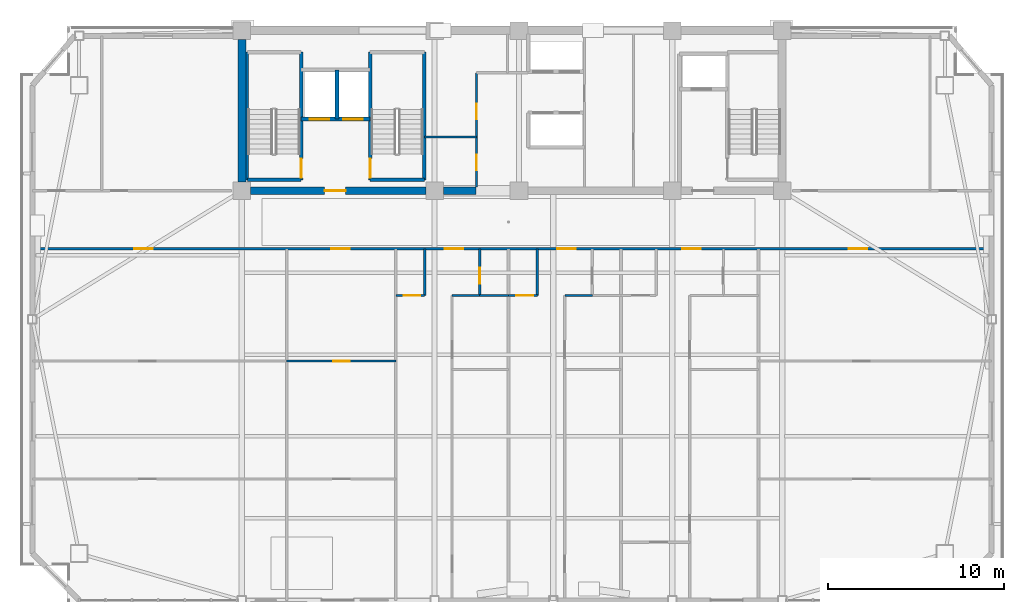
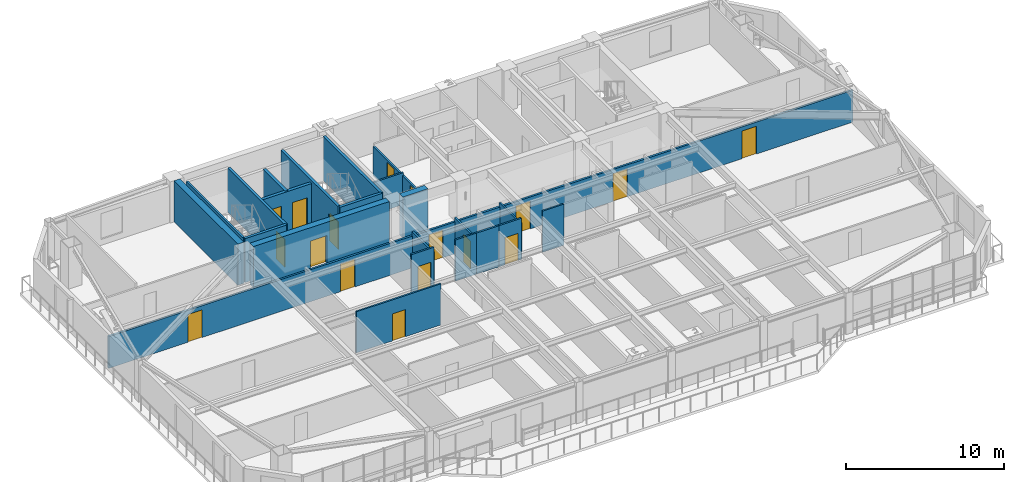
# One storey, part 9 of 19: 23 walls, 17 doors, 17 openings.
"""IFC4 building model written with IfcOpenShell, lengths in metres."""

from ifc_helpers import new_model, si_unit, direction, frame, frame_2d, origin, place, context, subcontext, project, spatial, rectangle, extrude, source, transform, mapped, material, layer, layer_set, type_object, element, fill, save


model = new_model("IFC4")

# Units and contexts
model_context = context("Model", 3, precision=1e-05, world=origin(), true_north=direction((0.0, 1.0)))
body_context = subcontext(model_context, "Body", "Model", "MODEL_VIEW")
ifc_project = project(units=[si_unit("LENGTHUNIT", "METRE"), si_unit("AREAUNIT", "SQUARE_METRE"), si_unit("VOLUMEUNIT", "CUBIC_METRE"), si_unit("PLANEANGLEUNIT", "RADIAN"), si_unit("MASSUNIT", "GRAM", prefix="KILO")], contexts=[model_context])

# Site, building, storey
site_placement = place(None, origin())
site = spatial("IfcSite", under=ifc_project, at=site_placement, CompositionType="ELEMENT")
building_placement = place(site_placement, origin())
building = spatial("IfcBuilding", under=site, at=building_placement, Name="Giltprow Tower", CompositionType="ELEMENT")
storey_placement = place(building_placement, frame((0.0, 0.0, 241.699951171875)))
storey = spatial("IfcBuildingStorey", under=building, at=storey_placement, Name="L61", CompositionType="ELEMENT", Elevation=241.699951171875)

# Wall, openings, doors
ifc_material_1 = material(Name="Gypsum stud partition", Category="gypsum")
ifc_layer_1 = layer(ifc_material_1, 0.14990234375, Name="Gypsum stud partition")
ifc_layer_set_1 = layer_set([ifc_layer_1], Name="Gypsum stud partition")
wall_type_1 = type_object("IfcWallType", Name="IW-CORR-150", PredefinedType="PARTITIONING", material=ifc_layer_set_1)
wall_1_placement = place(storey_placement, frame((7.947998046875, 34.14990234375, 0.0), z_axis=(0.0, 0.0, 1.0), x_axis=(1.0, 0.0, 0.0)))
wall_1 = element("IfcWall", 1, at=wall_1_placement, inside=storey, type_object=wall_type_1, Name="L61 Residence Gallery Corridor Wall", PredefinedType="PARTITIONING", context=body_context, shape_type="SweptSolid", body=[
    extrude(rectangle(XDim=54.50390625, YDim=0.14990234375, at=frame_2d((27.251953125, 0.0))), origin(), (0.0, 0.0, 1.0), 2.469970703125),
])
opening_1_placement = place(wall_1_placement, frame((5.784912109375, 0.0, 0.0)))
opening_1 = element("IfcOpeningElement", 2, at=opening_1_placement, cuts=wall_1, Name="Opening ID31", PredefinedType="OPENING", context=body_context, shape_type="SweptSolid", body=[
    extrude(rectangle(XDim=1.050048828125, YDim=2.14990234375, at=frame_2d((0.52490234375, 1.074951171875))), frame((0.0, 0.0849609375, 0.0), z_axis=(0.0, -1.0, 0.0), x_axis=(1.0, 0.0, 0.0)), (0.0, 0.0, 1.0), 0.169921875),
])
opening_2_placement = place(wall_1_placement, frame((16.97705078125, 0.0, 0.0)))
opening_2 = element("IfcOpeningElement", 3, at=opening_2_placement, cuts=wall_1, Name="Opening ID31", PredefinedType="OPENING", context=body_context, shape_type="SweptSolid", body=[
    extrude(rectangle(XDim=1.050048828125, YDim=2.14990234375, at=frame_2d((0.52490234375, 1.074951171875))), frame((0.0, 0.0849609375, 0.0), z_axis=(0.0, -1.0, 0.0), x_axis=(1.0, 0.0, 0.0)), (0.0, 0.0, 1.0), 0.169921875),
])
opening_3_placement = place(wall_1_placement, frame((23.427001953125, 0.0, 0.0)))
opening_3 = element("IfcOpeningElement", 4, at=opening_3_placement, cuts=wall_1, Name="Opening ID31", PredefinedType="OPENING", context=body_context, shape_type="SweptSolid", body=[
    extrude(rectangle(XDim=1.050048828125, YDim=2.14990234375, at=frame_2d((0.52490234375, 1.074951171875))), frame((0.0, 0.0849609375, 0.0), z_axis=(0.0, -1.0, 0.0), x_axis=(1.0, 0.0, 0.0)), (0.0, 0.0, 1.0), 0.169921875),
])
opening_4_placement = place(wall_1_placement, frame((29.826904296875, 0.0, 0.0)))
opening_4 = element("IfcOpeningElement", 5, at=opening_4_placement, cuts=wall_1, Name="Opening ID31", PredefinedType="OPENING", context=body_context, shape_type="SweptSolid", body=[
    extrude(rectangle(XDim=1.050048828125, YDim=2.14990234375, at=frame_2d((0.52490234375, 1.074951171875))), frame((0.0, 0.0849609375, 0.0), z_axis=(0.0, -1.0, 0.0), x_axis=(1.0, 0.0, 0.0)), (0.0, 0.0, 1.0), 0.169921875),
])
opening_5_placement = place(wall_1_placement, frame((36.927001953125, 0.0, 0.0)))
opening_5 = element("IfcOpeningElement", 6, at=opening_5_placement, cuts=wall_1, Name="Opening ID31", PredefinedType="OPENING", context=body_context, shape_type="SweptSolid", body=[
    extrude(rectangle(XDim=1.050048828125, YDim=2.14990234375, at=frame_2d((0.52490234375, 1.074951171875))), frame((0.0, 0.0849609375, 0.0), z_axis=(0.0, -1.0, 0.0), x_axis=(1.0, 0.0, 0.0)), (0.0, 0.0, 1.0), 0.169921875),
])
opening_6_placement = place(wall_1_placement, frame((46.381103515625, 0.0, 0.0)))
opening_6 = element("IfcOpeningElement", 7, at=opening_6_placement, cuts=wall_1, Name="Opening ID31", PredefinedType="OPENING", context=body_context, shape_type="SweptSolid", body=[
    extrude(rectangle(XDim=1.050048828125, YDim=2.14990234375, at=frame_2d((0.52490234375, 1.074951171875))), frame((0.0, 0.0849609375, 0.0), z_axis=(0.0, -1.0, 0.0), x_axis=(1.0, 0.0, 0.0)), (0.0, 0.0, 1.0), 0.169921875),
])
ifc_material_2 = material(Name="Engineered timber", Category="wood")
door_type_1 = type_object("IfcDoorType", Name="DR-SUITE-1050", OperationType="SINGLE_SWING_LEFT", PredefinedType="DOOR", material=ifc_material_2)
shared_shape_1 = source(origin(), body_context, "Body", "SweptSolid", [
    extrude(rectangle(XDim=1.050048828125, YDim=2.14990234375, at=frame_2d((0.52490234375, 1.074951171875))), frame((0.0, 0.02490234375, 0.0), z_axis=(0.0, -1.0, 0.0), x_axis=(1.0, 0.0, 0.0)), (0.0, 0.0, 1.0), 0.050048828125),
])
door_1_placement = place(opening_1_placement, origin())
door_1 = element("IfcDoor", 8, at=door_1_placement, inside=storey, type_object=door_type_1, Name="L61 Residents Home Office 1 North Door", OperationType="SINGLE_SWING_RIGHT", OverallHeight=2.14990234375, OverallWidth=1.050048828125, PredefinedType="DOOR", context=body_context, shape_type="MappedRepresentation", body=[
    mapped(shared_shape_1, transform((0.0, 0.0, 0.0), x_axis=(1.0, 0.0, 0.0), y_axis=(0.0, 1.0, 0.0), z_axis=(0.0, 0.0, 1.0), scale=1.0)),
])
fill(opening_1, door_1)
door_2_placement = place(opening_2_placement, origin())
door_2 = element("IfcDoor", 9, at=door_2_placement, inside=storey, type_object=door_type_1, Name="L61 Legal Study Office 2 North Door", OperationType="SINGLE_SWING_LEFT", OverallHeight=2.14990234375, OverallWidth=1.050048828125, PredefinedType="DOOR", context=body_context, shape_type="MappedRepresentation", body=[
    mapped(shared_shape_1, transform((0.0, 0.0, 0.0), x_axis=(1.0, 0.0, 0.0), y_axis=(0.0, 1.0, 0.0), z_axis=(0.0, 0.0, 1.0), scale=1.0)),
])
fill(opening_2, door_2)
door_3_placement = place(opening_3_placement, origin())
door_3 = element("IfcDoor", 10, at=door_3_placement, inside=storey, type_object=door_type_1, Name="L61 Unit 1 Entrance Door", OperationType="SINGLE_SWING_RIGHT", OverallHeight=2.14990234375, OverallWidth=1.050048828125, PredefinedType="DOOR", context=body_context, shape_type="MappedRepresentation", body=[
    mapped(shared_shape_1, transform((0.0, 0.0, 0.0), x_axis=(1.0, 0.0, 0.0), y_axis=(0.0, 1.0, 0.0), z_axis=(0.0, 0.0, 1.0), scale=1.0)),
])
fill(opening_3, door_3)
door_4_placement = place(opening_4_placement, origin())
door_4 = element("IfcDoor", 11, at=door_4_placement, inside=storey, type_object=door_type_1, Name="L61 Unit 2 Entrance Door", OperationType="SINGLE_SWING_LEFT", OverallHeight=2.14990234375, OverallWidth=1.050048828125, PredefinedType="DOOR", context=body_context, shape_type="MappedRepresentation", body=[
    mapped(shared_shape_1, transform((0.0, 0.0, 0.0), x_axis=(1.0, 0.0, 0.0), y_axis=(0.0, 1.0, 0.0), z_axis=(0.0, 0.0, 1.0), scale=1.0)),
])
fill(opening_4, door_4)
door_5_placement = place(opening_5_placement, origin())
door_5 = element("IfcDoor", 12, at=door_5_placement, inside=storey, type_object=door_type_1, Name="L61 Unit 3 Entrance Door", OperationType="SINGLE_SWING_RIGHT", OverallHeight=2.14990234375, OverallWidth=1.050048828125, PredefinedType="DOOR", context=body_context, shape_type="MappedRepresentation", body=[
    mapped(shared_shape_1, transform((0.0, 0.0, 0.0), x_axis=(1.0, 0.0, 0.0), y_axis=(0.0, 1.0, 0.0), z_axis=(0.0, 0.0, 1.0), scale=1.0)),
])
fill(opening_5, door_5)
door_6_placement = place(opening_6_placement, origin())
door_6 = element("IfcDoor", 13, at=door_6_placement, inside=storey, type_object=door_type_1, Name="L61 Portfolio Office 3 North Door", OperationType="SINGLE_SWING_RIGHT", OverallHeight=2.14990234375, OverallWidth=1.050048828125, PredefinedType="DOOR", context=body_context, shape_type="MappedRepresentation", body=[
    mapped(shared_shape_1, transform((0.0, 0.0, 0.0), x_axis=(1.0, 0.0, 0.0), y_axis=(0.0, 1.0, 0.0), z_axis=(0.0, 0.0, 1.0), scale=1.0)),
])
fill(opening_6, door_6)

# Wall, opening, door
ifc_layer_2 = layer(ifc_material_1, 0.1201171875, Name="Gypsum stud partition")
ifc_layer_set_2 = layer_set([ifc_layer_2], Name="Gypsum stud partition")
wall_type_2 = type_object("IfcWallType", Name="IW-ROOM-120", PredefinedType="PARTITIONING", material=ifc_layer_set_2)
wall_2_placement = place(storey_placement, frame((22.39990234375, 27.77001953125, 0.0), z_axis=(0.0, 0.0, 1.0), x_axis=(1.0, 0.0, 0.0)))
wall_2 = element("IfcWall", 14, at=wall_2_placement, inside=storey, type_object=wall_type_2, Name="L61 Special Split 2", PredefinedType="PARTITIONING", context=body_context, shape_type="SweptSolid", body=[
    extrude(rectangle(XDim=6.2001953125, YDim=0.1201171875, at=frame_2d((3.10009765625, 0.0))), origin(), (0.0, 0.0, 1.0), 3.18505859375),
])
opening_7_placement = place(wall_2_placement, frame((2.64599609375, 0.0, 0.0)))
opening_7 = element("IfcOpeningElement", 15, at=opening_7_placement, cuts=wall_2, Name="Opening ID11", PredefinedType="OPENING", context=body_context, shape_type="SweptSolid", body=[
    extrude(rectangle(XDim=0.949951171875, YDim=2.10009765625, at=frame_2d((0.47509765625, 1.050048828125))), frame((0.0, 0.070068359375, 0.0), z_axis=(0.0, -1.0, 0.0), x_axis=(1.0, 0.0, 0.0)), (0.0, 0.0, 1.0), 0.14013671875),
])
door_type_2 = type_object("IfcDoorType", Name="DR-ROOM-950", OperationType="SINGLE_SWING_RIGHT", PredefinedType="DOOR", material=ifc_material_2)
shared_shape_2 = source(origin(), body_context, "Body", "SweptSolid", [
    extrude(rectangle(XDim=0.949951171875, YDim=2.10009765625, at=frame_2d((0.47509765625, 1.050048828125))), frame((0.0, 0.02490234375, 0.0), z_axis=(0.0, -1.0, 0.0), x_axis=(1.0, 0.0, 0.0)), (0.0, 0.0, 1.0), 0.050048828125),
])
door_7_placement = place(opening_7_placement, origin())
door_7 = element("IfcDoor", 16, at=door_7_placement, inside=storey, type_object=door_type_2, Name="L61 Legal Study Office 2 Mid Door", OperationType="SINGLE_SWING_RIGHT", OverallHeight=2.10009765625, OverallWidth=0.949951171875, PredefinedType="DOOR", context=body_context, shape_type="MappedRepresentation", body=[
    mapped(shared_shape_2, transform((0.0, 0.0, 0.0), x_axis=(1.0, 0.0, 0.0), y_axis=(0.0, 1.0, 0.0), z_axis=(0.0, 0.0, 1.0), scale=1.0)),
])
fill(opening_7, door_7)

# Walls
for number, where, z_axis, x_axis, name in (
    (17, (31.800048828125, 31.5, 0.0), (0.0, 0.0, 1.0), (1.0, 0.0, 0.0), "L61 Unit 1 Bedroom North Wall"),
    (18, (38.199951171875, 31.5, 0.0), (0.0, 0.0, 1.0), (1.0, 0.0, 0.0), "L61 Unit 2 Bedroom North Wall"),
):
    element("IfcWall", number, at=place(storey_placement, frame(where, z_axis=z_axis, x_axis=x_axis)), inside=storey, type_object=wall_type_2, Name=name, PredefinedType="PARTITIONING", context=body_context, shape_type="SweptSolid", body=[
        extrude(rectangle(XDim=1.56005859375, YDim=0.1201171875, at=frame_2d((0.780029296875, 0.0))), origin(), (0.0, 0.0, 1.0), 3.18505859375),
    ])

# Wall, openings, doors
ifc_material_3 = material(Name="Concrete C40", Category="concrete")
ifc_layer_3 = layer(ifc_material_3, 0.219970703125, Name="Concrete C40")
ifc_layer_set_3 = layer_set([ifc_layer_3], Name="Concrete C40")
wall_type_3 = type_object("IfcWallType", Name="IW-SHAFT-220", PredefinedType="SOLIDWALL", material=ifc_layer_set_3)
wall_3_placement = place(storey_placement, frame((23.219970703125, 41.52001953125, 0.0), z_axis=(0.0, 0.0, 1.0), x_axis=(1.0, 0.0, 0.0)))
wall_3 = element("IfcWall", 19, at=wall_3_placement, inside=storey, type_object=wall_type_3, Name="L61 FFL1 and Service Lift Front Wall", PredefinedType="SOLIDWALL", context=body_context, shape_type="SweptSolid", body=[
    extrude(rectangle(XDim=3.919921875, YDim=0.219970703125, at=frame_2d((1.9599609375, 0.0))), origin(), (0.0, 0.0, 1.0), 3.18505859375),
])
opening_8_placement = place(wall_3_placement, frame((0.5, 0.0, 0.0)))
opening_8 = element("IfcOpeningElement", 20, at=opening_8_placement, cuts=wall_3, Name="Opening LD-11", PredefinedType="OPENING", context=body_context, shape_type="SweptSolid", body=[
    extrude(rectangle(XDim=1.10009765625, YDim=2.199951171875, at=frame_2d((0.550048828125, 1.10009765625))), frame((0.0, 0.119873046875, 0.0), z_axis=(0.0, -1.0, 0.0), x_axis=(1.0, 0.0, 0.0)), (0.0, 0.0, 1.0), 0.239990234375),
])
opening_9_placement = place(wall_3_placement, frame((2.39990234375, 0.0, 0.0)))
opening_9 = element("IfcOpeningElement", 21, at=opening_9_placement, cuts=wall_3, Name="Opening LD-11", PredefinedType="OPENING", context=body_context, shape_type="SweptSolid", body=[
    extrude(rectangle(XDim=1.10009765625, YDim=2.199951171875, at=frame_2d((0.550048828125, 1.10009765625))), frame((0.0, 0.119873046875, 0.0), z_axis=(0.0, -1.0, 0.0), x_axis=(1.0, 0.0, 0.0)), (0.0, 0.0, 1.0), 0.239990234375),
])
ifc_material_4 = material(Name="Stainless steel", Category="steel")
door_type_3 = type_object("IfcDoorType", Name="DR-LIFT-LD1100", OperationType="SLIDING_TO_LEFT", PredefinedType="DOOR", material=ifc_material_4)
shared_shape_3 = source(origin(), body_context, "Body", "SweptSolid", [
    extrude(rectangle(XDim=1.10009765625, YDim=2.199951171875, at=frame_2d((0.550048828125, 1.10009765625))), frame((0.0, 0.02490234375, 0.0), z_axis=(0.0, -1.0, 0.0), x_axis=(1.0, 0.0, 0.0)), (0.0, 0.0, 1.0), 0.050048828125),
])
door_8_placement = place(opening_8_placement, origin())
door_8 = element("IfcDoor", 22, at=door_8_placement, inside=storey, type_object=door_type_3, Name="L61 FFL1 Landing Door", OperationType="SLIDING_TO_LEFT", OverallHeight=2.199951171875, OverallWidth=1.10009765625, PredefinedType="DOOR", context=body_context, shape_type="MappedRepresentation", body=[
    mapped(shared_shape_3, transform((0.0, 0.0, 0.0), x_axis=(1.0, 0.0, 0.0), y_axis=(0.0, 1.0, 0.0), z_axis=(0.0, 0.0, 1.0), scale=1.0)),
])
fill(opening_8, door_8)
door_9_placement = place(opening_9_placement, origin())
door_9 = element("IfcDoor", 23, at=door_9_placement, inside=storey, type_object=door_type_3, Name="L61 SVL1 Landing Door", OperationType="SLIDING_TO_LEFT", OverallHeight=2.199951171875, OverallWidth=1.10009765625, PredefinedType="DOOR", context=body_context, shape_type="MappedRepresentation", body=[
    mapped(shared_shape_3, transform((0.0, 0.0, 0.0), x_axis=(1.0, 0.0, 0.0), y_axis=(0.0, 1.0, 0.0), z_axis=(0.0, 0.0, 1.0), scale=1.0)),
])
fill(opening_9, door_9)

# Walls
wall_4_placement = place(storey_placement, frame((25.260009765625, 41.52001953125, 0.0), z_axis=(0.0, 0.0, 1.0), x_axis=(0.0, 1.0, 0.0)))
element("IfcWall", 24, at=wall_4_placement, inside=storey, type_object=wall_type_3, Name="L61 FFL1-SVL1 Shaft Divider", PredefinedType="SOLIDWALL", context=body_context, shape_type="SweptSolid", body=[
    extrude(rectangle(XDim=2.800048828125, YDim=0.219970703125, at=frame_2d((1.39990234375, 0.0))), origin(), (0.0, 0.0, 1.0), 3.18505859375),
])
ifc_material_5 = material(Name="Concrete C45", Category="concrete")
ifc_layer_4 = layer(ifc_material_5, 0.139892578125, Name="Concrete C45")
ifc_layer_set_4 = layer_set([ifc_layer_4], Name="Concrete C45")
wall_type_4 = type_object("IfcWallType", Name="IW-STAIR-140", PredefinedType="SOLIDWALL", material=ifc_layer_set_4)
wall_5_placement = place(storey_placement, frame((20.169921875, 38.070068359375, 0.0), z_axis=(0.0, 0.0, 1.0), x_axis=(0.0, 1.0, 0.0)))
element("IfcWall", 25, at=wall_5_placement, inside=storey, type_object=wall_type_4, Name="L61 Stair ST-1 West Bearing Wall", PredefinedType="SOLIDWALL", context=body_context, shape_type="SweptSolid", body=[
    extrude(rectangle(XDim=7.25, YDim=0.139892578125, at=frame_2d((3.625, 0.0))), origin(), (0.0, 0.0, 1.0), 3.400146484375),
])

# Wall, opening, door
ifc_layer_5 = layer(ifc_material_3, 0.199951171875, Name="Concrete C40")
ifc_layer_set_5 = layer_set([ifc_layer_5], Name="Concrete C40")
wall_type_5 = type_object("IfcWallType", Name="IW-STAIR-200", PredefinedType="SOLIDWALL", material=ifc_layer_set_5)
wall_6_placement = place(storey_placement, frame((23.219970703125, 38.070068359375, 0.0), z_axis=(0.0, 0.0, 1.0), x_axis=(0.0, 1.0, 0.0)))
wall_6 = element("IfcWall", 26, at=wall_6_placement, inside=storey, type_object=wall_type_5, Name="L61 Stair ST-1 East Bearing Wall", PredefinedType="SOLIDWALL", context=body_context, shape_type="SweptSolid", body=[
    extrude(rectangle(XDim=7.25, YDim=0.199951171875, at=frame_2d((3.625, 0.0))), origin(), (0.0, 0.0, 1.0), 3.400146484375),
])
opening_10_placement = place(wall_6_placement, frame((0.110107421875, 0.0, 0.0)))
opening_10 = element("IfcOpeningElement", 27, at=opening_10_placement, cuts=wall_6, Name="Opening ID33", PredefinedType="OPENING", context=body_context, shape_type="SweptSolid", body=[
    extrude(rectangle(XDim=1.10009765625, YDim=2.14990234375, at=frame_2d((0.550048828125, 1.074951171875))), frame((0.0, 0.10986328125, 0.0), z_axis=(0.0, -1.0, 0.0), x_axis=(1.0, 0.0, 0.0)), (0.0, 0.0, 1.0), 0.219970703125),
])
ifc_material_6 = material(Name="Steel fire leaf", Category="steel")
door_type_4 = type_object("IfcDoorType", Name="DR-STAIR-1100", OperationType="SINGLE_SWING_LEFT", PredefinedType="DOOR", material=ifc_material_6)
shared_shape_4 = source(origin(), body_context, "Body", "SweptSolid", [
    extrude(rectangle(XDim=1.10009765625, YDim=2.14990234375, at=frame_2d((0.550048828125, 1.074951171875))), frame((0.0, 0.02490234375, 0.0), z_axis=(0.0, -1.0, 0.0), x_axis=(1.0, 0.0, 0.0)), (0.0, 0.0, 1.0), 0.050048828125),
])
door_10_placement = place(opening_10_placement, origin())
door_10 = element("IfcDoor", 28, at=door_10_placement, inside=storey, type_object=door_type_4, Name="L61 Stair ST-1 Fire Door", OperationType="SINGLE_SWING_LEFT", OverallHeight=2.14990234375, OverallWidth=1.10009765625, PredefinedType="DOOR", context=body_context, shape_type="MappedRepresentation", body=[
    mapped(shared_shape_4, transform((0.0, 0.0, 0.0), x_axis=(1.0, 0.0, 0.0), y_axis=(0.0, 1.0, 0.0), z_axis=(0.0, 0.0, 1.0), scale=1.0)),
])
fill(opening_10, door_10)

# Wall
wall_7_placement = place(storey_placement, frame((20.169921875, 38.070068359375, 0.0), z_axis=(0.0, 0.0, 1.0), x_axis=(1.0, 0.0, 0.0)))
element("IfcWall", 29, at=wall_7_placement, inside=storey, type_object=wall_type_5, Name="L61 Stair ST-1 South Bearing Wall", PredefinedType="SOLIDWALL", context=body_context, shape_type="SweptSolid", body=[
    extrude(rectangle(XDim=3.050048828125, YDim=0.199951171875, at=frame_2d((1.52490234375, 0.0))), origin(), (0.0, 0.0, 1.0), 3.400146484375),
])

# Wall, opening, door
wall_8_placement = place(storey_placement, frame((27.139892578125, 38.070068359375, 0.0), z_axis=(0.0, 0.0, 1.0), x_axis=(0.0, 1.0, 0.0)))
wall_8 = element("IfcWall", 30, at=wall_8_placement, inside=storey, type_object=wall_type_5, Name="L61 Stair ST-2 West Bearing Wall", PredefinedType="SOLIDWALL", context=body_context, shape_type="SweptSolid", body=[
    extrude(rectangle(XDim=7.25, YDim=0.199951171875, at=frame_2d((3.625, 0.0))), origin(), (0.0, 0.0, 1.0), 3.400146484375),
])
opening_11_placement = place(wall_8_placement, frame((0.110107421875, 0.0, 0.0)))
opening_11 = element("IfcOpeningElement", 31, at=opening_11_placement, cuts=wall_8, Name="Opening ID33", PredefinedType="OPENING", context=body_context, shape_type="SweptSolid", body=[
    extrude(rectangle(XDim=1.10009765625, YDim=2.14990234375, at=frame_2d((0.550048828125, 1.074951171875))), frame((0.0, 0.10986328125, 0.0), z_axis=(0.0, -1.0, 0.0), x_axis=(1.0, 0.0, 0.0)), (0.0, 0.0, 1.0), 0.219970703125),
])
door_11_placement = place(opening_11_placement, origin())
door_11 = element("IfcDoor", 32, at=door_11_placement, inside=storey, type_object=door_type_4, Name="L61 Stair ST-2 Fire Door", OperationType="SINGLE_SWING_RIGHT", OverallHeight=2.14990234375, OverallWidth=1.10009765625, PredefinedType="DOOR", context=body_context, shape_type="MappedRepresentation", body=[
    mapped(shared_shape_4, transform((0.0, 0.0, 0.0), x_axis=(1.0, 0.0, 0.0), y_axis=(0.0, 1.0, 0.0), z_axis=(0.0, 0.0, 1.0), scale=1.0)),
])
fill(opening_11, door_11)

# Walls
wall_9_placement = place(storey_placement, frame((30.219970703125, 38.070068359375, 0.0), z_axis=(0.0, 0.0, 1.0), x_axis=(0.0, 1.0, 0.0)))
element("IfcWall", 33, at=wall_9_placement, inside=storey, type_object=wall_type_5, Name="L61 Stair ST-2 East Bearing Wall", PredefinedType="SOLIDWALL", context=body_context, shape_type="SweptSolid", body=[
    extrude(rectangle(XDim=7.25, YDim=0.199951171875, at=frame_2d((3.625, 0.0))), origin(), (0.0, 0.0, 1.0), 3.400146484375),
])
wall_10_placement = place(storey_placement, frame((27.139892578125, 38.070068359375, 0.0), z_axis=(0.0, 0.0, 1.0), x_axis=(1.0, 0.0, 0.0)))
element("IfcWall", 34, at=wall_10_placement, inside=storey, type_object=wall_type_5, Name="L61 Stair ST-2 South Bearing Wall", PredefinedType="SOLIDWALL", context=body_context, shape_type="SweptSolid", body=[
    extrude(rectangle(XDim=3.080078125, YDim=0.199951171875, at=frame_2d((1.5400390625, 0.0))), origin(), (0.0, 0.0, 1.0), 3.400146484375),
])

# Wall, openings, doors
ifc_material_7 = material(Name="Concrete C30", Category="concrete")
ifc_layer_6 = layer(ifc_material_7, 0.1298828125, Name="Concrete C30")
ifc_layer_set_6 = layer_set([ifc_layer_6], Name="Concrete C30")
wall_type_6 = type_object("IfcWallType", Name="IW-WET-130", PredefinedType="PARTITIONING", material=ifc_layer_set_6)
wall_11_placement = place(storey_placement, frame((33.179931640625, 37.655029296875, 0.0), z_axis=(0.0, 0.0, 1.0), x_axis=(0.0, 1.0, 0.0)))
wall_11 = element("IfcWall", 35, at=wall_11_placement, inside=storey, type_object=wall_type_6, Name="L61 Reclaimed West Core Wall", PredefinedType="PARTITIONING", context=body_context, shape_type="SweptSolid", body=[
    extrude(rectangle(XDim=6.494873046875, YDim=0.1298828125, at=frame_2d((3.24755859375, 0.0))), origin(), (0.0, 0.0, 1.0), 2.27001953125),
])
opening_12_placement = place(wall_11_placement, frame((0.945068359375, 0.0, 0.0)))
opening_12 = element("IfcOpeningElement", 36, at=opening_12_placement, cuts=wall_11, Name="Opening ID35", PredefinedType="OPENING", context=body_context, shape_type="SweptSolid", body=[
    extrude(rectangle(XDim=0.89990234375, YDim=2.10009765625, at=frame_2d((0.449951171875, 1.050048828125))), frame((0.0, 0.074951171875, 0.0), z_axis=(0.0, -1.0, 0.0), x_axis=(1.0, 0.0, 0.0)), (0.0, 0.0, 1.0), 0.14990234375),
])
opening_13_placement = place(wall_11_placement, frame((3.844970703125, 0.0, 0.0)))
opening_13 = element("IfcOpeningElement", 37, at=opening_13_placement, cuts=wall_11, Name="Opening ID35", PredefinedType="OPENING", context=body_context, shape_type="SweptSolid", body=[
    extrude(rectangle(XDim=0.89990234375, YDim=2.10009765625, at=frame_2d((0.449951171875, 1.050048828125))), frame((0.0, 0.074951171875, 0.0), z_axis=(0.0, -1.0, 0.0), x_axis=(1.0, 0.0, 0.0)), (0.0, 0.0, 1.0), 0.14990234375),
])
door_type_5 = type_object("IfcDoorType", Name="DR-SHAFT-900", OperationType="SINGLE_SWING_LEFT", PredefinedType="DOOR", material=ifc_material_6)
shared_shape_5 = source(origin(), body_context, "Body", "SweptSolid", [
    extrude(rectangle(XDim=0.89990234375, YDim=2.10009765625, at=frame_2d((0.449951171875, 1.050048828125))), frame((0.0, 0.02490234375, 0.0), z_axis=(0.0, -1.0, 0.0), x_axis=(1.0, 0.0, 0.0)), (0.0, 0.0, 1.0), 0.050048828125),
])
door_12_placement = place(opening_12_placement, origin())
door_12 = element("IfcDoor", 38, at=door_12_placement, inside=storey, type_object=door_type_5, Name="L61 Core Powder WC Door", OperationType="SINGLE_SWING_RIGHT", OverallHeight=2.10009765625, OverallWidth=0.89990234375, PredefinedType="DOOR", context=body_context, shape_type="MappedRepresentation", body=[
    mapped(shared_shape_5, transform((0.0, 0.0, 0.0), x_axis=(1.0, 0.0, 0.0), y_axis=(0.0, 1.0, 0.0), z_axis=(0.0, 0.0, 1.0), scale=1.0)),
])
fill(opening_12, door_12)
door_13_placement = place(opening_13_placement, origin())
door_13 = element("IfcDoor", 39, at=door_13_placement, inside=storey, type_object=door_type_5, Name="L61 Core Sommelier Pantry Door", OperationType="SINGLE_SWING_LEFT", OverallHeight=2.10009765625, OverallWidth=0.89990234375, PredefinedType="DOOR", context=body_context, shape_type="MappedRepresentation", body=[
    mapped(shared_shape_5, transform((0.0, 0.0, 0.0), x_axis=(1.0, 0.0, 0.0), y_axis=(0.0, 1.0, 0.0), z_axis=(0.0, 0.0, 1.0), scale=1.0)),
])
fill(opening_13, door_13)

# Wall
wall_12_placement = place(storey_placement, frame((30.219970703125, 40.5, 0.0), z_axis=(0.0, 0.0, 1.0), x_axis=(1.0, 0.0, 0.0)))
element("IfcWall", 40, at=wall_12_placement, inside=storey, type_object=wall_type_6, Name="L61 West Core Split 2", PredefinedType="PARTITIONING", context=body_context, shape_type="SweptSolid", body=[
    extrude(rectangle(XDim=2.9599609375, YDim=0.1298828125, at=frame_2d((1.47998046875, 0.0))), origin(), (0.0, 0.0, 1.0), 2.469970703125),
])

# Wall, opening, door
wall_13_placement = place(storey_placement, frame((28.60009765625, 31.5, 0.0), z_axis=(0.0, 0.0, 1.0), x_axis=(1.0, 0.0, 0.0)))
wall_13 = element("IfcWall", 41, at=wall_13_placement, inside=storey, type_object=wall_type_6, Name="L61 Unit 1 Kitchen South Wall", PredefinedType="PARTITIONING", context=body_context, shape_type="SweptSolid", body=[
    extrude(rectangle(XDim=1.639892578125, YDim=0.1298828125, at=frame_2d((0.81982421875, 0.0))), origin(), (0.0, 0.0, 1.0), 3.18505859375),
])
opening_14_placement = place(wall_13_placement, frame((0.449951171875, 0.0, 0.0)))
opening_14 = element("IfcOpeningElement", 42, at=opening_14_placement, cuts=wall_13, Name="Opening ID11", PredefinedType="OPENING", context=body_context, shape_type="SweptSolid", body=[
    extrude(rectangle(XDim=0.949951171875, YDim=2.10009765625, at=frame_2d((0.47509765625, 1.050048828125))), frame((0.0, 0.074951171875, 0.0), z_axis=(0.0, -1.0, 0.0), x_axis=(1.0, 0.0, 0.0)), (0.0, 0.0, 1.0), 0.14990234375),
])
door_14_placement = place(opening_14_placement, origin())
door_14 = element("IfcDoor", 43, at=door_14_placement, inside=storey, type_object=door_type_2, Name="L61 Unit 1 Kitchen Door", OperationType="SINGLE_SWING_LEFT", OverallHeight=2.10009765625, OverallWidth=0.949951171875, PredefinedType="DOOR", context=body_context, shape_type="MappedRepresentation", body=[
    mapped(shared_shape_2, transform((0.0, 0.0, 0.0), x_axis=(1.0, 0.0, 0.0), y_axis=(0.0, 1.0, 0.0), z_axis=(0.0, 0.0, 1.0), scale=1.0)),
])
fill(opening_14, door_14)

# Walls
wall_14_placement = place(storey_placement, frame((30.239990234375, 31.5, 0.0), z_axis=(0.0, 0.0, 1.0), x_axis=(0.0, 1.0, 0.0)))
element("IfcWall", 44, at=wall_14_placement, inside=storey, type_object=wall_type_6, Name="L61 Unit 1 Kitchen East Wall", PredefinedType="PARTITIONING", context=body_context, shape_type="SweptSolid", body=[
    extrude(rectangle(XDim=2.64990234375, YDim=0.1298828125, at=frame_2d((1.324951171875, 0.0))), origin(), (0.0, 0.0, 1.0), 2.77001953125),
])
wall_15_placement = place(storey_placement, frame((33.360107421875, 31.5, 0.0), z_axis=(0.0, 0.0, 1.0), x_axis=(1.0, 0.0, 0.0)))
element("IfcWall", 45, at=wall_15_placement, inside=storey, type_object=wall_type_6, Name="L61 Unit 1 Bathroom South Wall", PredefinedType="PARTITIONING", context=body_context, shape_type="SweptSolid", body=[
    extrude(rectangle(XDim=1.639892578125, YDim=0.1298828125, at=frame_2d((0.81982421875, 0.0))), origin(), (0.0, 0.0, 1.0), 3.18505859375),
])

# Wall, opening, door
wall_16_placement = place(storey_placement, frame((33.360107421875, 31.5, 0.0), z_axis=(0.0, 0.0, 1.0), x_axis=(0.0, 1.0, 0.0)))
wall_16 = element("IfcWall", 46, at=wall_16_placement, inside=storey, type_object=wall_type_6, Name="L61 Unit 1 Bathroom West Wall", PredefinedType="PARTITIONING", context=body_context, shape_type="SweptSolid", body=[
    extrude(rectangle(XDim=2.64990234375, YDim=0.1298828125, at=frame_2d((1.324951171875, 0.0))), origin(), (0.0, 0.0, 1.0), 2.77001953125),
])
opening_15_placement = place(wall_16_placement, frame((0.669921875, 0.0, 0.0)))
opening_15 = element("IfcOpeningElement", 47, at=opening_15_placement, cuts=wall_16, Name="Opening ID15", PredefinedType="OPENING", context=body_context, shape_type="SweptSolid", body=[
    extrude(rectangle(XDim=0.89990234375, YDim=2.10009765625, at=frame_2d((0.449951171875, 1.050048828125))), frame((0.0, 0.074951171875, 0.0), z_axis=(0.0, -1.0, 0.0), x_axis=(1.0, 0.0, 0.0)), (0.0, 0.0, 1.0), 0.14990234375),
])
door_type_6 = type_object("IfcDoorType", Name="DR-WC-900", OperationType="SINGLE_SWING_LEFT", PredefinedType="DOOR", material=ifc_material_2)
door_15_placement = place(opening_15_placement, origin())
door_15 = element("IfcDoor", 48, at=door_15_placement, inside=storey, type_object=door_type_6, Name="L61 Unit 1 Bathroom Door", OperationType="SINGLE_SWING_RIGHT", OverallHeight=2.10009765625, OverallWidth=0.89990234375, PredefinedType="DOOR", context=body_context, shape_type="MappedRepresentation", body=[
    mapped(shared_shape_5, transform((0.0, 0.0, 0.0), x_axis=(1.0, 0.0, 0.0), y_axis=(0.0, 1.0, 0.0), z_axis=(0.0, 0.0, 1.0), scale=1.0)),
])
fill(opening_15, door_15)

wall_17_placement = place(storey_placement, frame((35.0, 31.5, 0.0), z_axis=(0.0, 0.0, 1.0), x_axis=(1.0, 0.0, 0.0)))
wall_17 = element("IfcWall", 49, at=wall_17_placement, inside=storey, type_object=wall_type_6, Name="L61 Unit 2 Kitchen South Wall", PredefinedType="PARTITIONING", context=body_context, shape_type="SweptSolid", body=[
    extrude(rectangle(XDim=1.639892578125, YDim=0.1298828125, at=frame_2d((0.81982421875, 0.0))), origin(), (0.0, 0.0, 1.0), 3.18505859375),
])
opening_16_placement = place(wall_17_placement, frame((0.449951171875, 0.0, 0.0)))
opening_16 = element("IfcOpeningElement", 50, at=opening_16_placement, cuts=wall_17, Name="Opening ID11", PredefinedType="OPENING", context=body_context, shape_type="SweptSolid", body=[
    extrude(rectangle(XDim=0.949951171875, YDim=2.10009765625, at=frame_2d((0.47509765625, 1.050048828125))), frame((0.0, 0.074951171875, 0.0), z_axis=(0.0, -1.0, 0.0), x_axis=(1.0, 0.0, 0.0)), (0.0, 0.0, 1.0), 0.14990234375),
])
door_16_placement = place(opening_16_placement, origin())
door_16 = element("IfcDoor", 51, at=door_16_placement, inside=storey, type_object=door_type_2, Name="L61 Unit 2 Kitchen Door", OperationType="SINGLE_SWING_RIGHT", OverallHeight=2.10009765625, OverallWidth=0.949951171875, PredefinedType="DOOR", context=body_context, shape_type="MappedRepresentation", body=[
    mapped(shared_shape_2, transform((0.0, 0.0, 0.0), x_axis=(1.0, 0.0, 0.0), y_axis=(0.0, 1.0, 0.0), z_axis=(0.0, 0.0, 1.0), scale=1.0)),
])
fill(opening_16, door_16)

# Wall
wall_18_placement = place(storey_placement, frame((36.639892578125, 31.5, 0.0), z_axis=(0.0, 0.0, 1.0), x_axis=(0.0, 1.0, 0.0)))
element("IfcWall", 52, at=wall_18_placement, inside=storey, type_object=wall_type_6, Name="L61 Unit 2 Kitchen East Wall", PredefinedType="PARTITIONING", context=body_context, shape_type="SweptSolid", body=[
    extrude(rectangle(XDim=2.64990234375, YDim=0.1298828125, at=frame_2d((1.324951171875, 0.0))), origin(), (0.0, 0.0, 1.0), 2.77001953125),
])

# Wall, opening, door
ifc_material_8 = material(Name="Concrete C50", Category="concrete")
ifc_layer_7 = layer(ifc_material_8, 0.449951171875, Name="Concrete C50")
ifc_layer_set_7 = layer_set([ifc_layer_7], Name="Concrete C50")
wall_type_7 = type_object("IfcWallType", Name="SW-INT-450-C50", PredefinedType="SHEAR", material=ifc_layer_set_7)
wall_19_placement = place(storey_placement, frame((20.35009765625, 37.449951171875, 0.0), z_axis=(0.0, 0.0, 1.0), x_axis=(1.0, 0.0, 0.0)))
wall_19 = element("IfcWall", 53, at=wall_19_placement, inside=storey, type_object=wall_type_7, Name="L61 South Rear Core Shear Wall West", PredefinedType="SHEAR", context=body_context, shape_type="SweptSolid", body=[
    extrude(rectangle(XDim=9.949951171875, YDim=0.449951171875, at=frame_2d((4.97509765625, 0.0))), origin(), (0.0, 0.0, 1.0), 3.18505859375),
])
opening_17_placement = place(wall_19_placement, frame((4.199951171875, 0.0, 0.0)))
opening_17 = element("IfcOpeningElement", 54, at=opening_17_placement, cuts=wall_19, Name="Opening ID19", PredefinedType="OPENING", context=body_context, shape_type="SweptSolid", body=[
    extrude(rectangle(XDim=1.199951171875, YDim=2.14990234375, at=frame_2d((0.60009765625, 1.074951171875))), frame((0.0, 0.23486328125, 0.0), z_axis=(0.0, -1.0, 0.0), x_axis=(1.0, 0.0, 0.0)), (0.0, 0.0, 1.0), 0.469970703125),
])
door_type_7 = type_object("IfcDoorType", Name="DR-FFLOBBY-1200", OperationType="SINGLE_SWING_RIGHT", PredefinedType="DOOR", material=ifc_material_6)
shared_shape_6 = source(origin(), body_context, "Body", "SweptSolid", [
    extrude(rectangle(XDim=1.199951171875, YDim=2.14990234375, at=frame_2d((0.60009765625, 1.074951171875))), frame((0.0, 0.02490234375, 0.0), z_axis=(0.0, -1.0, 0.0), x_axis=(1.0, 0.0, 0.0)), (0.0, 0.0, 1.0), 0.050048828125),
])
door_17_placement = place(opening_17_placement, origin())
door_17 = element("IfcDoor", 55, at=door_17_placement, inside=storey, type_object=door_type_7, Name="L61 West Firefighting Lobby Entry Door", OperationType="SINGLE_SWING_RIGHT", OverallHeight=2.14990234375, OverallWidth=1.199951171875, PredefinedType="DOOR", context=body_context, shape_type="MappedRepresentation", body=[
    mapped(shared_shape_6, transform((0.0, 0.0, 0.0), x_axis=(1.0, 0.0, 0.0), y_axis=(0.0, 1.0, 0.0), z_axis=(0.0, 0.0, 1.0), scale=1.0)),
])
fill(opening_17, door_17)

# Walls
wall_20_placement = place(storey_placement, frame((31.300048828125, 37.449951171875, 0.0), z_axis=(0.0, 0.0, 1.0), x_axis=(1.0, 0.0, 0.0)))
element("IfcWall", 56, at=wall_20_placement, inside=storey, type_object=wall_type_7, Name="L61 South Rear Core Shear Wall Mid-West", PredefinedType="SHEAR", context=body_context, shape_type="SweptSolid", body=[
    extrude(rectangle(XDim=1.849853515625, YDim=0.449951171875, at=frame_2d((0.9248046875, 0.0))), origin(), (0.0, 0.0, 1.0), 3.18505859375),
])
wall_21_placement = place(storey_placement, frame((19.85009765625, 37.949951171875, 0.0), z_axis=(0.0, 0.0, 1.0), x_axis=(0.0, 1.0, 0.0)))
element("IfcWall", 57, at=wall_21_placement, inside=storey, type_object=wall_type_7, Name="L61 W Rear Core Shear Wall", PredefinedType="SHEAR", context=body_context, shape_type="SweptSolid", body=[
    extrude(rectangle(XDim=8.10009765625, YDim=0.449951171875, at=frame_2d((4.050048828125, 0.0))), origin(), (0.0, 0.0, 1.0), 3.18505859375),
])

save(model, "model.ifc")
